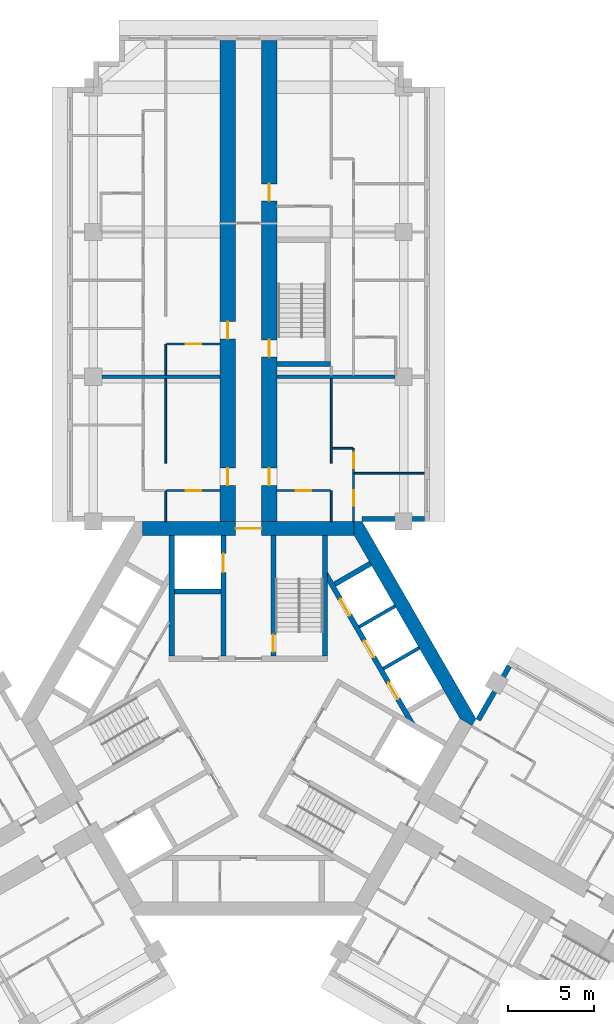
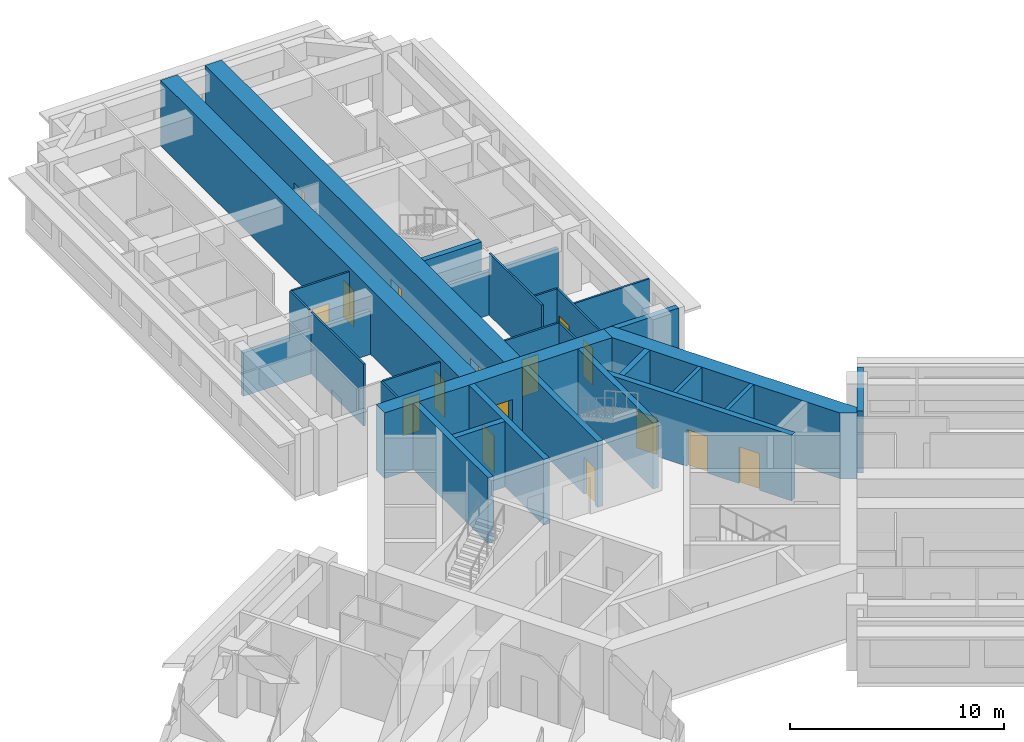
# One storey, part 9 of 14: 29 walls, 16 doors, 16 openings.
"""IFC4 building model written with IfcOpenShell, lengths in metres."""

import ifcopenshell
import ifcopenshell.guid

model = None  # the IFC model being written
_history = None  # IfcOwnerHistory: only IFC2X3 demands one
_inside = {}  # id of a spatial element -> (the spatial element, [elements in it])
_under = {}  # id of a project, library or spatial element -> (it, [spatial elements below it])
_declared = {}  # id of a project -> (the project, [libraries it declares])
_typed = {}  # id of a type object -> (the type object, [elements of that type])
_made_of = {}  # id of a material, layer set ... -> (it, [elements and type objects made of it])


def new_model(schema):
    """Start an empty IFC model of exactly this schema.

    Asked for "IFC4X3", IfcOpenShell would pick the latest addendum, in which some entities
    have other attributes; the version numbers below select the first issue.
    IFC2X3 requires an IfcOwnerHistory on every rooted entity: one is made here for all.
    """
    global model, _history
    if schema == "IFC4X3":
        model = ifcopenshell.file(schema_version=(4, 3, 0, 0))
    else:
        model = ifcopenshell.file(schema=schema)
    _inside.clear()
    _under.clear()
    _declared.clear()
    _typed.clear()
    _made_of.clear()
    _history = None
    if model.schema == "IFC2X3":
        org = make("IfcOrganization", Name="unknown")
        user = make(
            "IfcPersonAndOrganization",
            ThePerson=make("IfcPerson", FamilyName="unknown"),
            TheOrganization=org,
        )
        app = make(
            "IfcApplication",
            ApplicationDeveloper=org,
            Version="unknown",
            ApplicationFullName="unknown",
            ApplicationIdentifier="unknown",
        )
        _history = make(
            "IfcOwnerHistory",
            OwningUser=user,
            OwningApplication=app,
            ChangeAction="ADDED",
            CreationDate=0,
        )
    return model


def make(cls, **values):
    """One entity of the class cls with the attributes given. An attribute that is None is left unset."""
    return model.create_entity(
        cls, **{name: value for name, value in values.items() if value is not None}
    )


def rooted(cls, **values):
    """An entity with a GlobalId (a new one), such as an element, a storey or a relation."""
    return make(cls, GlobalId=ifcopenshell.guid.new(), OwnerHistory=_history, **values)


def si_unit(unit_type, name, prefix=None):
    """IfcSIUnit, for example si_unit("LENGTHUNIT", "METRE", prefix="MILLI")."""
    return make("IfcSIUnit", UnitType=unit_type, Prefix=prefix, Name=name)


def assignment(units):
    """IfcUnitAssignment: the units of a project."""
    return None if units is None else make("IfcUnitAssignment", Units=units)


def point(xyz):
    """IfcCartesianPoint."""
    return None if xyz is None else make("IfcCartesianPoint", Coordinates=xyz)


def direction(xyz):
    """IfcDirection."""
    return None if xyz is None else make("IfcDirection", DirectionRatios=xyz)


def frame(location, z_axis=None, x_axis=None):
    """IfcAxis2Placement3D, a coordinate frame: its origin and axes. An axis left out is left unset."""
    return make(
        "IfcAxis2Placement3D",
        Location=point(location),
        Axis=direction(z_axis),
        RefDirection=direction(x_axis),
    )


def frame_2d(location, x_axis=None):
    """IfcAxis2Placement2D, a coordinate frame in the plane: its origin and x axis."""
    return make(
        "IfcAxis2Placement2D", Location=point(location), RefDirection=direction(x_axis)
    )


def origin():
    """The frame at (0, 0, 0) with its axes left unset."""
    return frame((0.0, 0.0, 0.0))


def place(relative_to, where):
    """IfcLocalPlacement: puts the frame where relative to a parent placement (None: the world)."""
    return make(
        "IfcLocalPlacement", PlacementRelTo=relative_to, RelativePlacement=where
    )


def context(
    kind, dimensions, precision=None, world=None, true_north=None, identifier=None
):
    """IfcGeometricRepresentationContext, for example the 3D "Model" context."""
    return make(
        "IfcGeometricRepresentationContext",
        ContextIdentifier=identifier,
        ContextType=kind,
        CoordinateSpaceDimension=dimensions,
        Precision=precision,
        WorldCoordinateSystem=world,
        TrueNorth=true_north,
    )


def subcontext(parent, identifier, kind, view, scale=None):
    """IfcGeometricRepresentationSubContext, for example "Body" below "Model"."""
    return make(
        "IfcGeometricRepresentationSubContext",
        ContextIdentifier=identifier,
        ContextType=kind,
        ParentContext=parent,
        TargetScale=scale,
        TargetView=view,
    )


def project(units=None, contexts=None):
    """IfcProject with its units and contexts."""
    return rooted(
        "IfcProject",
        Name="project",
        RepresentationContexts=contexts,
        UnitsInContext=assignment(units),
    )


def spatial(cls, under=None, at=None, **own):
    """A site, building, storey or space (cls), placed at a placement, below another one or the project."""
    s = rooted(cls, ObjectPlacement=at, **own)
    if under is not None:
        _under.setdefault(under.id(), (under, []))[1].append(s)
    return s


def polyline(points):
    """IfcPolyline through the points."""
    return make("IfcPolyline", Points=[point(p) for p in points])


def profile(cls, at=None, kind="AREA", **sizes):
    """A parametric profile (cls). Its sizes go by their IFC names, for example OverallWidth=200.0."""
    return make(cls, ProfileType=kind, Position=at, **sizes)


def rectangle(**sizes):
    """IfcRectangleProfileDef."""
    return profile("IfcRectangleProfileDef", **sizes)


def outline(outer, holes=None, kind="AREA"):
    """IfcArbitraryClosedProfileDef: a profile drawn as a closed curve; with holes, ...WithVoids."""
    if holes is None:
        return make("IfcArbitraryClosedProfileDef", ProfileType=kind, OuterCurve=outer)
    return make(
        "IfcArbitraryProfileDefWithVoids",
        ProfileType=kind,
        OuterCurve=outer,
        InnerCurves=holes,
    )


def extrude(swept, where, along, depth):
    """IfcExtrudedAreaSolid: the profile swept, set in the frame where, extruded along a direction by depth."""
    return make(
        "IfcExtrudedAreaSolid",
        SweptArea=swept,
        Position=where,
        ExtrudedDirection=direction(along),
        Depth=depth,
    )


def shape(context_of_items, identifier, shape_type, items):
    """IfcShapeRepresentation: the items that make up one representation, for example the "Body"."""
    return make(
        "IfcShapeRepresentation",
        ContextOfItems=context_of_items,
        RepresentationIdentifier=identifier,
        RepresentationType=shape_type,
        Items=items,
    )


def material(Name=None, Category=None):
    """IfcMaterial."""
    return make("IfcMaterial", Name=Name, Category=Category)


def layer(
    of_material, thickness, ventilated=None, Name=None, Category=None, Priority=None
):
    """IfcMaterialLayer: one layer of a wall or slab, of a material (None: an air gap)."""
    return make(
        "IfcMaterialLayer",
        Material=of_material,
        LayerThickness=thickness,
        IsVentilated=ventilated,
        Name=Name,
        Category=Category,
        Priority=Priority,
    )


def layer_set(layers, Name=None):
    """IfcMaterialLayerSet."""
    return make("IfcMaterialLayerSet", MaterialLayers=layers, LayerSetName=Name)


def made_of(thing, what):
    """Note that an element or type object is made of a material, layer set ...; save() writes the relation."""
    if what is not None:
        _made_of.setdefault(what.id(), (what, []))[1].append(thing)
    return thing


def type_object(cls, material=None, **own):
    """A type object (cls), such as IfcWallType, which elements share."""
    return made_of(rooted(cls, **own), material)


def element(
    cls,
    number,
    at=None,
    inside=None,
    cuts=None,
    type_object=None,
    material=None,
    context=None,
    identifier="Body",
    shape_type=None,
    held_by="IfcProductDefinitionShape",
    body=None,
    shapes=None,
    **own,
):
    """One element of the class cls, such as IfcWall. Its Tag is "e" and its number.

    at: its placement. inside: the storey or other place that contains it. cuts: it is an
    opening in that element (IfcRelVoidsElement). A single representation is given by context,
    identifier, shape_type and body (its items); several are given by shapes. held_by: the class
    of the entity that holds the representations. save() writes the other relations.
    """
    e = rooted(cls, Tag="e%d" % number, ObjectPlacement=at, **own)
    if body is not None:
        shapes = [shape(context, identifier, shape_type, body)]
    if shapes is not None:
        e.Representation = make(held_by, Representations=shapes)
    if inside is not None:
        _inside.setdefault(inside.id(), (inside, []))[1].append(e)
    if cuts is not None:
        rooted(
            "IfcRelVoidsElement", RelatingBuildingElement=cuts, RelatedOpeningElement=e
        )
    if type_object is not None:
        _typed.setdefault(type_object.id(), (type_object, []))[1].append(e)
    return made_of(e, material)


def fill(opening, filler):
    """IfcRelFillsElement: the door or window that sits in an opening."""
    return rooted(
        "IfcRelFillsElement",
        RelatingOpeningElement=opening,
        RelatedBuildingElement=filler,
    )


def aggregate(whole, parts):
    """IfcRelAggregates: a whole, such as a stair, and the parts it consists of."""
    return rooted("IfcRelAggregates", RelatingObject=whole, RelatedObjects=parts)


def save(model, path):
    """Write the relations noted so far, then the file.

    IfcRelAggregates (storeys below a building ...), IfcRelContainedInSpatialStructure (elements
    in a storey), IfcRelDefinesByType, IfcRelAssociatesMaterial and IfcRelDeclares: one each for
    every whole, place, type object, material and project.
    """
    for whole, parts in _under.values():
        aggregate(whole, parts)
    for where, things in _inside.values():
        rooted(
            "IfcRelContainedInSpatialStructure",
            RelatedElements=things,
            RelatingStructure=where,
        )
    for kind, things in _typed.values():
        rooted("IfcRelDefinesByType", RelatedObjects=things, RelatingType=kind)
    for what, things in _made_of.values():
        rooted("IfcRelAssociatesMaterial", RelatedObjects=things, RelatingMaterial=what)
    for by, libraries in _declared.values():
        rooted("IfcRelDeclares", RelatingContext=by, RelatedDefinitions=libraries)
    model.write(path)


model = new_model("IFC4")

# Units and contexts
model_context = context("Model", 3, precision=1e-05, world=origin(), true_north=direction((0.0, 1.0)))
body_context = subcontext(model_context, "Body", "Model", "MODEL_VIEW")
ifc_project = project(units=[si_unit("LENGTHUNIT", "METRE"), si_unit("AREAUNIT", "SQUARE_METRE"), si_unit("VOLUMEUNIT", "CUBIC_METRE"), si_unit("PLANEANGLEUNIT", "RADIAN"), si_unit("MASSUNIT", "GRAM", prefix="KILO")], contexts=[model_context])

# Site, building, storey
site_placement = place(None, origin())
site = spatial("IfcSite", under=ifc_project, at=site_placement, CompositionType="ELEMENT")
building_placement = place(site_placement, origin())
building = spatial("IfcBuilding", under=site, at=building_placement, Name="Impinga Residences", CompositionType="ELEMENT")
storey_placement = place(building_placement, frame((0.0, 0.0, 154.75)))
storey = spatial("IfcBuildingStorey", under=building, at=storey_placement, Name="L38", CompositionType="ELEMENT", Elevation=154.75)

# Wall, openings, doors
ifc_material_1 = material(Name="Concrete C60/75", Category="concrete")
ifc_layer_1 = layer(ifc_material_1, 0.89990234375)
ifc_layer_set_1 = layer_set([ifc_layer_1], Name="Concrete C60/75")
wall_type_1 = type_object("IfcWallType", Name="BW2 corridor buttress wall, L24 to L44 900", PredefinedType="SHEAR", material=ifc_layer_set_1)
wall_1_placement = place(storey_placement, frame((-1.199951171875, 11.031494140625, 0.0), z_axis=(0.0, 0.0, 1.0), x_axis=(0.0, 1.0, 0.0)))
wall_1 = element("IfcWall", 1, at=wall_1_placement, inside=storey, type_object=wall_type_1, Name="Corridor wall BW2 NC L38", PredefinedType="SHEAR", context=body_context, shape_type="SweptSolid", body=[
    extrude(rectangle(XDim=28.300048828125, YDim=0.89990234375, at=frame_2d((14.14990234375, 0.0))), origin(), (0.0, 0.0, 1.0), 3.75),
])
opening_1_placement = place(wall_1_placement, frame((2.5, 0.0, 0.0)))
opening_1 = element("IfcOpeningElement", 2, at=opening_1_placement, cuts=wall_1, Name="Opening D1", PredefinedType="OPENING", context=body_context, shape_type="SweptSolid", body=[
    extrude(rectangle(XDim=1.0, YDim=2.10009765625, at=frame_2d((0.5, 1.050048828125))), frame((0.0, 0.4599609375, 0.0), z_axis=(0.0, -1.0, 0.0), x_axis=(1.0, 0.0, 0.0)), (0.0, 0.0, 1.0), 0.919921875),
])
opening_2_placement = place(wall_1_placement, frame((11.0, 0.0, 0.0)))
opening_2 = element("IfcOpeningElement", 3, at=opening_2_placement, cuts=wall_1, Name="Opening D1", PredefinedType="OPENING", context=body_context, shape_type="SweptSolid", body=[
    extrude(rectangle(XDim=1.0, YDim=2.10009765625, at=frame_2d((0.5, 1.050048828125))), frame((0.0, 0.4599609375, 0.0), z_axis=(0.0, -1.0, 0.0), x_axis=(1.0, 0.0, 0.0)), (0.0, 0.0, 1.0), 0.919921875),
])
ifc_material_2 = material(Name="Timber door set", Category="wood")
door_type_1 = type_object("IfcDoorType", Name="D1 apartment entrance door 1000x2100", OperationType="SINGLE_SWING_LEFT", PredefinedType="DOOR", material=ifc_material_2)
door_1_placement = place(opening_1_placement, origin())
door_1 = element("IfcDoor", 4, at=door_1_placement, inside=storey, type_object=door_type_1, Name="Apartment L38-NA1 entrance", OperationType="SINGLE_SWING_LEFT", OverallHeight=2.10009765625, OverallWidth=1.0, PredefinedType="DOOR", context=body_context, shape_type="SweptSolid", body=[
    extrude(rectangle(XDim=1.0, YDim=2.10009765625, at=frame_2d((0.5, 1.050048828125))), frame((0.0, 0.02490234375, 0.0), z_axis=(0.0, -1.0, 0.0), x_axis=(1.0, 0.0, 0.0)), (0.0, 0.0, 1.0), 0.050048828125),
])
fill(opening_1, door_1)
door_2_placement = place(opening_2_placement, origin())
door_2 = element("IfcDoor", 5, at=door_2_placement, inside=storey, type_object=door_type_1, Name="Apartment L38-NA2 entrance", OperationType="SINGLE_SWING_LEFT", OverallHeight=2.10009765625, OverallWidth=1.0, PredefinedType="DOOR", context=body_context, shape_type="SweptSolid", body=[
    extrude(rectangle(XDim=1.0, YDim=2.10009765625, at=frame_2d((0.5, 1.050048828125))), frame((0.0, 0.02490234375, 0.0), z_axis=(0.0, -1.0, 0.0), x_axis=(1.0, 0.0, 0.0)), (0.0, 0.0, 1.0), 0.050048828125),
])
fill(opening_2, door_2)

wall_2_placement = place(storey_placement, frame((1.199951171875, 11.031494140625, 0.0), z_axis=(0.0, 0.0, 1.0), x_axis=(0.0, 1.0, 0.0)))
wall_2 = element("IfcWall", 6, at=wall_2_placement, inside=storey, type_object=wall_type_1, Name="Corridor wall BW2 ND L38", PredefinedType="SHEAR", context=body_context, shape_type="SweptSolid", body=[
    extrude(rectangle(XDim=28.300048828125, YDim=0.89990234375, at=frame_2d((14.14990234375, 0.0))), origin(), (0.0, 0.0, 1.0), 3.75),
])
opening_3_placement = place(wall_2_placement, frame((9.949951171875, 0.0, 0.0)))
opening_3 = element("IfcOpeningElement", 7, at=opening_3_placement, cuts=wall_2, Name="Opening D5", PredefinedType="OPENING", context=body_context, shape_type="SweptSolid", body=[
    extrude(rectangle(XDim=1.0, YDim=2.10009765625, at=frame_2d((0.5, 1.050048828125))), frame((0.0, 0.4599609375, 0.0), z_axis=(0.0, -1.0, 0.0), x_axis=(1.0, 0.0, 0.0)), (0.0, 0.0, 1.0), 0.919921875),
])
opening_4_placement = place(wall_2_placement, frame((2.5, 0.0, 0.0)))
opening_4 = element("IfcOpeningElement", 8, at=opening_4_placement, cuts=wall_2, Name="Opening D1", PredefinedType="OPENING", context=body_context, shape_type="SweptSolid", body=[
    extrude(rectangle(XDim=1.0, YDim=2.10009765625, at=frame_2d((0.5, 1.050048828125))), frame((0.0, 0.4599609375, 0.0), z_axis=(0.0, -1.0, 0.0), x_axis=(1.0, 0.0, 0.0)), (0.0, 0.0, 1.0), 0.919921875),
])
opening_5_placement = place(wall_2_placement, frame((19.0, 0.0, 0.0)))
opening_5 = element("IfcOpeningElement", 9, at=opening_5_placement, cuts=wall_2, Name="Opening D1", PredefinedType="OPENING", context=body_context, shape_type="SweptSolid", body=[
    extrude(rectangle(XDim=1.0, YDim=2.10009765625, at=frame_2d((0.5, 1.050048828125))), frame((0.0, 0.4599609375, 0.0), z_axis=(0.0, -1.0, 0.0), x_axis=(1.0, 0.0, 0.0)), (0.0, 0.0, 1.0), 0.919921875),
])
door_3_placement = place(opening_4_placement, origin())
door_3 = element("IfcDoor", 10, at=door_3_placement, inside=storey, type_object=door_type_1, Name="Apartment L38-NF1 entrance", OperationType="SINGLE_SWING_LEFT", OverallHeight=2.10009765625, OverallWidth=1.0, PredefinedType="DOOR", context=body_context, shape_type="SweptSolid", body=[
    extrude(rectangle(XDim=1.0, YDim=2.10009765625, at=frame_2d((0.5, 1.050048828125))), frame((0.0, 0.02490234375, 0.0), z_axis=(0.0, -1.0, 0.0), x_axis=(1.0, 0.0, 0.0)), (0.0, 0.0, 1.0), 0.050048828125),
])
fill(opening_4, door_3)
door_4_placement = place(opening_5_placement, origin())
door_4 = element("IfcDoor", 11, at=door_4_placement, inside=storey, type_object=door_type_1, Name="Apartment L38-NF2 entrance", OperationType="SINGLE_SWING_RIGHT", OverallHeight=2.10009765625, OverallWidth=1.0, PredefinedType="DOOR", context=body_context, shape_type="SweptSolid", body=[
    extrude(rectangle(XDim=1.0, YDim=2.10009765625, at=frame_2d((0.5, 1.050048828125))), frame((0.0, 0.02490234375, 0.0), z_axis=(0.0, -1.0, 0.0), x_axis=(1.0, 0.0, 0.0)), (0.0, 0.0, 1.0), 0.050048828125),
])
fill(opening_5, door_4)
door_type_2 = type_object("IfcDoorType", Name="D5 stair door 1000x2100", OperationType="SINGLE_SWING_LEFT", PredefinedType="DOOR", material=ifc_material_2)
door_5_placement = place(opening_3_placement, origin())
door_5 = element("IfcDoor", 12, at=door_5_placement, inside=storey, type_object=door_type_2, Name="Wing stair door N", OperationType="SINGLE_SWING_LEFT", OverallHeight=2.10009765625, OverallWidth=1.0, PredefinedType="DOOR", context=body_context, shape_type="SweptSolid", body=[
    extrude(rectangle(XDim=1.0, YDim=2.10009765625, at=frame_2d((0.5, 1.050048828125))), frame((0.0, 0.02490234375, 0.0), z_axis=(0.0, -1.0, 0.0), x_axis=(1.0, 0.0, 0.0)), (0.0, 0.0, 1.0), 0.050048828125),
])
fill(opening_3, door_5)

# Walls
ifc_material_3 = material(Name="Terracotta rainscreen on blockwork", Category="masonry")
ifc_layer_2 = layer(ifc_material_3, 0.300048828125)
ifc_layer_set_2 = layer_set([ifc_layer_2], Name="EW1 external wall, terracotta rainscreen on blockwork 300")
wall_type_2 = type_object("IfcWallType", Name="EW1 external wall, terracotta rainscreen on blockwork 300", PredefinedType="SOLIDWALL", material=ifc_layer_set_2)
wall_3_placement = place(storey_placement, frame((10.199951171875, 11.58154296875, 0.0), z_axis=(0.0, 0.0, 1.0), x_axis=(-1.0, 0.0, 0.0)))
element("IfcWall", 13, at=wall_3_placement, inside=storey, type_object=wall_type_2, Name="External wall EW1 L38", PredefinedType="SOLIDWALL", context=body_context, shape_type="SweptSolid", body=[
    extrude(rectangle(XDim=3.599853515625, YDim=0.300048828125, at=frame_2d((1.7998046875, 0.0))), origin(), (0.0, 0.0, 1.0), 3.530029296875),
])
wall_4_placement = place(storey_placement, frame((13.329833984375, -0.074951171875, 0.0), z_axis=(0.0, 0.0, 1.0), x_axis=(0.500012057535, 0.866018442252, 0.0)))
element("IfcWall", 14, at=wall_4_placement, inside=storey, type_object=wall_type_2, Name="External wall EW1 L38", PredefinedType="SOLIDWALL", context=body_context, shape_type="SweptSolid", body=[
    extrude(rectangle(XDim=3.60009765625, YDim=0.300048828125, at=frame_2d((1.800048828125, 0.0))), origin(), (0.0, 0.0, 1.0), 3.530029296875),
])
ifc_material_4 = material(Name="Gypsum board on steel studs", Category="steel")
ifc_layer_3 = layer(ifc_material_4, 0.10009765625)
ifc_layer_set_3 = layer_set([ifc_layer_3], Name="Gypsum board on steel studs")
wall_type_3 = type_object("IfcWallType", Name="IP1 partition 100", PredefinedType="PARTITIONING", material=ifc_layer_set_3)
wall_5_placement = place(storey_placement, frame((-4.800048828125, 11.431640625, 0.0), z_axis=(0.0, 0.0, 1.0), x_axis=(0.0, 1.0, 0.0)))
element("IfcWall", 15, at=wall_5_placement, inside=storey, type_object=wall_type_3, Name="Partition L38-NA1:DIV0", PredefinedType="PARTITIONING", context=body_context, shape_type="SweptSolid", body=[
    extrude(rectangle(XDim=1.7998046875, YDim=0.10009765625, at=frame_2d((0.89990234375, 0.0))), origin(), (0.0, 0.0, 1.0), 3.530029296875),
])
wall_6_placement = place(storey_placement, frame((-4.800048828125, 14.83154296875, 0.0), z_axis=(0.0, 0.0, 1.0), x_axis=(0.0, 1.0, 0.0)))
element("IfcWall", 16, at=wall_6_placement, inside=storey, type_object=wall_type_3, Name="Partition L38-NA1:DIV1", PredefinedType="PARTITIONING", context=body_context, shape_type="SweptSolid", body=[
    extrude(rectangle(XDim=4.89990234375, YDim=0.10009765625, at=frame_2d((2.449951171875, 0.0))), origin(), (0.0, 0.0, 1.0), 3.530029296875),
])

# Wall, opening, door
wall_7_placement = place(storey_placement, frame((-1.64990234375, 13.2314453125, 0.0), z_axis=(0.0, 0.0, 1.0), x_axis=(-1.0, 0.0, 0.0)))
wall_7 = element("IfcWall", 17, at=wall_7_placement, inside=storey, type_object=wall_type_3, Name="Partition L38-NA1:IB1", PredefinedType="PARTITIONING", context=body_context, shape_type="SweptSolid", body=[
    extrude(rectangle(XDim=3.10009765625, YDim=0.10009765625, at=frame_2d((1.550048828125, 0.0))), origin(), (0.0, 0.0, 1.0), 3.530029296875),
])
opening_6_placement = place(wall_7_placement, frame((1.10009765625, 0.0, 0.0)))
opening_6 = element("IfcOpeningElement", 18, at=opening_6_placement, cuts=wall_7, Name="Opening D2", PredefinedType="OPENING", context=body_context, shape_type="SweptSolid", body=[
    extrude(rectangle(XDim=0.89990234375, YDim=2.10009765625, at=frame_2d((0.449951171875, 1.050048828125))), frame((0.0, 0.06005859375, 0.0), z_axis=(0.0, -1.0, 0.0), x_axis=(1.0, 0.0, 0.0)), (0.0, 0.0, 1.0), 0.1201171875),
])
door_type_3 = type_object("IfcDoorType", Name="D2 internal door 900x2100", OperationType="SINGLE_SWING_LEFT", PredefinedType="DOOR", material=ifc_material_2)
door_6_placement = place(opening_6_placement, origin())
door_6 = element("IfcDoor", 19, at=door_6_placement, inside=storey, type_object=door_type_3, Name="Apartment L38-NA1 bathroom door", OperationType="SINGLE_SWING_LEFT", OverallHeight=2.10009765625, OverallWidth=0.89990234375, PredefinedType="DOOR", context=body_context, shape_type="SweptSolid", body=[
    extrude(rectangle(XDim=0.89990234375, YDim=2.10009765625, at=frame_2d((0.449951171875, 1.050048828125))), frame((0.0, 0.02490234375, 0.0), z_axis=(0.0, -1.0, 0.0), x_axis=(1.0, 0.0, 0.0)), (0.0, 0.0, 1.0), 0.050048828125),
])
fill(opening_6, door_6)

# Wall
wall_8_placement = place(storey_placement, frame((-4.800048828125, 19.931640625, 0.0), z_axis=(0.0, 0.0, 1.0), x_axis=(0.0, 1.0, 0.0)))
element("IfcWall", 20, at=wall_8_placement, inside=storey, type_object=wall_type_3, Name="Partition L38-NA2:DIV0", PredefinedType="PARTITIONING", context=body_context, shape_type="SweptSolid", body=[
    extrude(rectangle(XDim=1.7998046875, YDim=0.10009765625, at=frame_2d((0.89990234375, 0.0))), origin(), (0.0, 0.0, 1.0), 3.530029296875),
])

# Wall, opening, door
wall_9_placement = place(storey_placement, frame((-1.64990234375, 21.7314453125, 0.0), z_axis=(0.0, 0.0, 1.0), x_axis=(-1.0, 0.0, 0.0)))
wall_9 = element("IfcWall", 21, at=wall_9_placement, inside=storey, type_object=wall_type_3, Name="Partition L38-NA2:IB1", PredefinedType="PARTITIONING", context=body_context, shape_type="SweptSolid", body=[
    extrude(rectangle(XDim=3.10009765625, YDim=0.10009765625, at=frame_2d((1.550048828125, 0.0))), origin(), (0.0, 0.0, 1.0), 3.530029296875),
])
opening_7_placement = place(wall_9_placement, frame((1.10009765625, 0.0, 0.0)))
opening_7 = element("IfcOpeningElement", 22, at=opening_7_placement, cuts=wall_9, Name="Opening D2", PredefinedType="OPENING", context=body_context, shape_type="SweptSolid", body=[
    extrude(rectangle(XDim=0.89990234375, YDim=2.10009765625, at=frame_2d((0.449951171875, 1.050048828125))), frame((0.0, 0.06005859375, 0.0), z_axis=(0.0, -1.0, 0.0), x_axis=(1.0, 0.0, 0.0)), (0.0, 0.0, 1.0), 0.1201171875),
])
door_7_placement = place(opening_7_placement, origin())
door_7 = element("IfcDoor", 23, at=door_7_placement, inside=storey, type_object=door_type_3, Name="Apartment L38-NA2 bathroom door", OperationType="SINGLE_SWING_LEFT", OverallHeight=2.10009765625, OverallWidth=0.89990234375, PredefinedType="DOOR", context=body_context, shape_type="SweptSolid", body=[
    extrude(rectangle(XDim=0.89990234375, YDim=2.10009765625, at=frame_2d((0.449951171875, 1.050048828125))), frame((0.0, 0.02490234375, 0.0), z_axis=(0.0, -1.0, 0.0), x_axis=(1.0, 0.0, 0.0)), (0.0, 0.0, 1.0), 0.050048828125),
])
fill(opening_7, door_7)

# Walls
wall_10_placement = place(storey_placement, frame((4.800048828125, 11.431640625, 0.0), z_axis=(0.0, 0.0, 1.0), x_axis=(0.0, 1.0, 0.0)))
element("IfcWall", 24, at=wall_10_placement, inside=storey, type_object=wall_type_3, Name="Partition L38-NF1:DIV0", PredefinedType="PARTITIONING", context=body_context, shape_type="SweptSolid", body=[
    extrude(rectangle(XDim=1.7998046875, YDim=0.10009765625, at=frame_2d((0.89990234375, 0.0))), origin(), (0.0, 0.0, 1.0), 3.530029296875),
])
wall_11_placement = place(storey_placement, frame((4.800048828125, 14.83154296875, 0.0), z_axis=(0.0, 0.0, 1.0), x_axis=(0.0, 1.0, 0.0)))
element("IfcWall", 25, at=wall_11_placement, inside=storey, type_object=wall_type_3, Name="Partition L38-NF1:DIV1", PredefinedType="PARTITIONING", context=body_context, shape_type="SweptSolid", body=[
    extrude(rectangle(XDim=4.89990234375, YDim=0.10009765625, at=frame_2d((2.449951171875, 0.0))), origin(), (0.0, 0.0, 1.0), 3.530029296875),
])

# Wall, openings, doors
wall_12_placement = place(storey_placement, frame((6.10009765625, 11.431640625, 0.0), z_axis=(0.0, 0.0, 1.0), x_axis=(0.0, 1.0, 0.0)))
wall_12 = element("IfcWall", 26, at=wall_12_placement, inside=storey, type_object=wall_type_3, Name="Partition L38-NF1:STRIP", PredefinedType="PARTITIONING", context=body_context, shape_type="SweptSolid", body=[
    extrude(rectangle(XDim=4.25, YDim=0.10009765625, at=frame_2d((2.125, 0.0))), origin(), (0.0, 0.0, 1.0), 3.530029296875),
])
opening_8_placement = place(wall_12_placement, frame((0.925048828125, 0.0, 0.0)))
opening_8 = element("IfcOpeningElement", 27, at=opening_8_placement, cuts=wall_12, Name="Opening D2", PredefinedType="OPENING", context=body_context, shape_type="SweptSolid", body=[
    extrude(rectangle(XDim=0.89990234375, YDim=2.10009765625, at=frame_2d((0.449951171875, 1.050048828125))), frame((0.0, 0.06005859375, 0.0), z_axis=(0.0, -1.0, 0.0), x_axis=(1.0, 0.0, 0.0)), (0.0, 0.0, 1.0), 0.1201171875),
])
opening_9_placement = place(wall_12_placement, frame((3.10009765625, 0.0, 0.0)))
opening_9 = element("IfcOpeningElement", 28, at=opening_9_placement, cuts=wall_12, Name="Opening D2", PredefinedType="OPENING", context=body_context, shape_type="SweptSolid", body=[
    extrude(rectangle(XDim=0.89990234375, YDim=2.10009765625, at=frame_2d((0.449951171875, 1.050048828125))), frame((0.0, 0.06005859375, 0.0), z_axis=(0.0, -1.0, 0.0), x_axis=(1.0, 0.0, 0.0)), (0.0, 0.0, 1.0), 0.1201171875),
])
door_8_placement = place(opening_8_placement, origin())
door_8 = element("IfcDoor", 29, at=door_8_placement, inside=storey, type_object=door_type_3, Name="Apartment L38-NF1 room door", OperationType="SINGLE_SWING_LEFT", OverallHeight=2.10009765625, OverallWidth=0.89990234375, PredefinedType="DOOR", context=body_context, shape_type="SweptSolid", body=[
    extrude(rectangle(XDim=0.89990234375, YDim=2.10009765625, at=frame_2d((0.449951171875, 1.050048828125))), frame((0.0, 0.02490234375, 0.0), z_axis=(0.0, -1.0, 0.0), x_axis=(1.0, 0.0, 0.0)), (0.0, 0.0, 1.0), 0.050048828125),
])
fill(opening_8, door_8)
door_9_placement = place(opening_9_placement, origin())
door_9 = element("IfcDoor", 30, at=door_9_placement, inside=storey, type_object=door_type_3, Name="Apartment L38-NF1 room door", OperationType="SINGLE_SWING_RIGHT", OverallHeight=2.10009765625, OverallWidth=0.89990234375, PredefinedType="DOOR", context=body_context, shape_type="SweptSolid", body=[
    extrude(rectangle(XDim=0.89990234375, YDim=2.10009765625, at=frame_2d((0.449951171875, 1.050048828125))), frame((0.0, 0.02490234375, 0.0), z_axis=(0.0, -1.0, 0.0), x_axis=(1.0, 0.0, 0.0)), (0.0, 0.0, 1.0), 0.050048828125),
])
fill(opening_9, door_9)

# Wall
wall_13_placement = place(storey_placement, frame((4.85009765625, 15.681640625, 0.0), z_axis=(0.0, 0.0, 1.0), x_axis=(1.0, 0.0, 0.0)))
element("IfcWall", 31, at=wall_13_placement, inside=storey, type_object=wall_type_3, Name="Partition L38-NF1:SE1", PredefinedType="PARTITIONING", context=body_context, shape_type="SweptSolid", body=[
    extrude(rectangle(XDim=1.199951171875, YDim=0.10009765625, at=frame_2d((0.60009765625, 0.0))), origin(), (0.0, 0.0, 1.0), 3.530029296875),
])

# Wall, opening, door
wall_14_placement = place(storey_placement, frame((1.64990234375, 13.2314453125, 0.0), z_axis=(0.0, 0.0, 1.0), x_axis=(1.0, 0.0, 0.0)))
wall_14 = element("IfcWall", 32, at=wall_14_placement, inside=storey, type_object=wall_type_3, Name="Partition L38-NF1:IB1", PredefinedType="PARTITIONING", context=body_context, shape_type="SweptSolid", body=[
    extrude(rectangle(XDim=3.10009765625, YDim=0.10009765625, at=frame_2d((1.550048828125, 0.0))), origin(), (0.0, 0.0, 1.0), 3.530029296875),
])
opening_10_placement = place(wall_14_placement, frame((1.10009765625, 0.0, 0.0)))
opening_10 = element("IfcOpeningElement", 33, at=opening_10_placement, cuts=wall_14, Name="Opening D2", PredefinedType="OPENING", context=body_context, shape_type="SweptSolid", body=[
    extrude(rectangle(XDim=0.89990234375, YDim=2.10009765625, at=frame_2d((0.449951171875, 1.050048828125))), frame((0.0, 0.06005859375, 0.0), z_axis=(0.0, -1.0, 0.0), x_axis=(1.0, 0.0, 0.0)), (0.0, 0.0, 1.0), 0.1201171875),
])
door_10_placement = place(opening_10_placement, origin())
door_10 = element("IfcDoor", 34, at=door_10_placement, inside=storey, type_object=door_type_3, Name="Apartment L38-NF1 bathroom door", OperationType="SINGLE_SWING_LEFT", OverallHeight=2.10009765625, OverallWidth=0.89990234375, PredefinedType="DOOR", context=body_context, shape_type="SweptSolid", body=[
    extrude(rectangle(XDim=0.89990234375, YDim=2.10009765625, at=frame_2d((0.449951171875, 1.050048828125))), frame((0.0, 0.02490234375, 0.0), z_axis=(0.0, -1.0, 0.0), x_axis=(1.0, 0.0, 0.0)), (0.0, 0.0, 1.0), 0.050048828125),
])
fill(opening_10, door_10)

# Walls
wall_15_placement = place(storey_placement, frame((6.14990234375, 14.2314453125, 0.0), z_axis=(0.0, 0.0, 1.0), x_axis=(1.0, 0.0, 0.0)))
element("IfcWall", 35, at=wall_15_placement, inside=storey, type_object=wall_type_3, Name="Partition L38-NF1:OB1", PredefinedType="PARTITIONING", context=body_context, shape_type="SweptSolid", body=[
    extrude(rectangle(XDim=4.050048828125, YDim=0.10009765625, at=frame_2d((2.02490234375, 0.0))), origin(), (0.0, 0.0, 1.0), 3.530029296875),
])
ifc_material_5 = material(Name="Concrete blockwork", Category="masonry")
ifc_layer_4 = layer(ifc_material_5, 0.199951171875)
ifc_layer_set_4 = layer_set([ifc_layer_4], Name="PW1 party wall between apartments 200")
wall_type_4 = type_object("IfcWallType", Name="PW1 party wall between apartments 200", PredefinedType="SOLIDWALL", material=ifc_layer_set_4)
for number, where, z_axis, x_axis, name in (
    (36, (-1.64990234375, 19.83154296875, 0.0), (0.0, 0.0, 1.0), (-1.0, 0.0, 0.0), "Party wall between apartments L38-NA1:PARTY"),
    (37, (1.64990234375, 19.83154296875, 0.0), (0.0, 0.0, 1.0), (1.0, 0.0, 0.0), "Party wall between apartments L38-NF1:PARTY"),
):
    element("IfcWall", number, at=place(storey_placement, frame(where, z_axis=z_axis, x_axis=x_axis)), inside=storey, type_object=wall_type_4, Name=name, PredefinedType="SOLIDWALL", context=body_context, shape_type="SweptSolid", body=[
        extrude(rectangle(XDim=6.85009765625, YDim=0.199951171875, at=frame_2d((3.425048828125, 0.0))), origin(), (0.0, 0.0, 1.0), 2.47998046875),
    ])
ifc_layer_5 = layer(ifc_material_1, 0.300048828125)
ifc_layer_set_5 = layer_set([ifc_layer_5], Name="Concrete C60/75")
wall_type_5 = type_object("IfcWallType", Name="SE1 wing stair enclosure wall 300", PredefinedType="SOLIDWALL", material=ifc_layer_set_5)
wall_16_placement = place(storey_placement, frame((1.64990234375, 20.58154296875, 0.0), z_axis=(0.0, 0.0, 1.0), x_axis=(1.0, 0.0, 0.0)))
element("IfcWall", 38, at=wall_16_placement, inside=storey, type_object=wall_type_5, Name="Stair enclosure wall SE1 N END0 L38", PredefinedType="SOLIDWALL", context=body_context, shape_type="SweptSolid", body=[
    extrude(rectangle(XDim=3.10009765625, YDim=0.300048828125, at=frame_2d((1.550048828125, 0.0))), origin(), (0.0, 0.0, 1.0), 3.75),
])

# Wall, opening, door
ifc_layer_6 = layer(ifc_material_1, 0.800048828125)
ifc_layer_set_6 = layer_set([ifc_layer_6], Name="Concrete C60/75")
wall_type_6 = type_object("IfcWallType", Name="SW2 core wall 800", PredefinedType="SHEAR", material=ifc_layer_set_6)
wall_17_placement = place(storey_placement, frame((-6.13818359375, 11.031494140625, 0.0), z_axis=(0.0, 0.0, 1.0), x_axis=(1.0, 0.0, 0.0)))
wall_17 = element("IfcWall", 39, at=wall_17_placement, inside=storey, type_object=wall_type_6, Name="Core wall SW2 N:FACE L38", PredefinedType="SHEAR", context=body_context, shape_type="SweptSolid", body=[
    extrude(rectangle(XDim=12.2763671875, YDim=0.800048828125, at=frame_2d((6.13818359375, 0.0))), origin(), (0.0, 0.0, 1.0), 3.75),
])
opening_11_placement = place(wall_17_placement, frame((5.38818359375, 0.0, 0.0)))
opening_11 = element("IfcOpeningElement", 40, at=opening_11_placement, cuts=wall_17, Name="Opening D4", PredefinedType="OPENING", context=body_context, shape_type="SweptSolid", body=[
    extrude(rectangle(XDim=1.5, YDim=2.10009765625, at=frame_2d((0.75, 1.050048828125))), frame((0.0, 0.409912109375, 0.0), z_axis=(0.0, -1.0, 0.0), x_axis=(1.0, 0.0, 0.0)), (0.0, 0.0, 1.0), 0.820068359375),
])
door_type_4 = type_object("IfcDoorType", Name="D4 lobby door pair 1500x2100", OperationType="DOUBLE_DOOR_DOUBLE_SWING", PredefinedType="DOOR", material=ifc_material_2)
door_11_placement = place(opening_11_placement, origin())
door_11 = element("IfcDoor", 41, at=door_11_placement, inside=storey, type_object=door_type_4, Name="Lobby door N", OperationType="DOUBLE_DOOR_DOUBLE_SWING", OverallHeight=2.10009765625, OverallWidth=1.5, PredefinedType="DOOR", context=body_context, shape_type="SweptSolid", body=[
    extrude(rectangle(XDim=1.5, YDim=2.10009765625, at=frame_2d((0.75, 1.050048828125))), frame((0.0, 0.02490234375, 0.0), z_axis=(0.0, -1.0, 0.0), x_axis=(1.0, 0.0, 0.0)), (0.0, 0.0, 1.0), 0.050048828125),
])
fill(opening_11, door_11)

# Wall
wall_18_placement = place(storey_placement, origin())
element("IfcWall", 42, at=wall_18_placement, inside=storey, type_object=wall_type_6, Name="Core wall SW2 W:EXPOSED L38", PredefinedType="SHEAR", context=body_context, shape_type="SweptSolid", body=[
    extrude(outline(polyline([(13.199951171875, 0.0), (6.60009765625, 11.431640625), (6.13818359375, 11.431640625), (6.13818359375, 10.631591796875), (12.276123046875, 0.0), (12.968994140625, -0.39990234375), (13.199951171875, 0.0)])), origin(), (0.0, 0.0, 1.0), 3.75),
])

# Wall, opening, door
ifc_material_6 = material(Name="Concrete C70/85", Category="concrete")
ifc_layer_7 = layer(ifc_material_6, 0.300048828125)
ifc_layer_set_7 = layer_set([ifc_layer_7], Name="Concrete C70/85")
wall_type_7 = type_object("IfcWallType", Name="SW5 core inner wall, stairs, shafts and lobbies 300", PredefinedType="SHEAR", material=ifc_layer_set_7)
wall_19_placement = place(storey_placement, frame((1.449951171875, 3.6298828125, 0.0), z_axis=(0.0, 0.0, 1.0), x_axis=(0.0, 1.0, 0.0)))
wall_19 = element("IfcWall", 43, at=wall_19_placement, inside=storey, type_object=wall_type_7, Name="Core wall SW5 N:ST-IN L38", PredefinedType="SHEAR", context=body_context, shape_type="SweptSolid", body=[
    extrude(rectangle(XDim=7.001708984375, YDim=0.300048828125, at=frame_2d((3.5009765625, 0.0))), origin(), (0.0, 0.0, 1.0), 3.75),
])
opening_12_placement = place(wall_19_placement, frame((0.25, 0.0, 0.0)))
opening_12 = element("IfcOpeningElement", 44, at=opening_12_placement, cuts=wall_19, Name="Opening D5", PredefinedType="OPENING", context=body_context, shape_type="SweptSolid", body=[
    extrude(rectangle(XDim=1.0, YDim=2.10009765625, at=frame_2d((0.5, 1.050048828125))), frame((0.0, 0.159912109375, 0.0), z_axis=(0.0, -1.0, 0.0), x_axis=(1.0, 0.0, 0.0)), (0.0, 0.0, 1.0), 0.320068359375),
])
door_12_placement = place(opening_12_placement, origin())
door_12 = element("IfcDoor", 45, at=door_12_placement, inside=storey, type_object=door_type_2, Name="Stair door N", OperationType="SINGLE_SWING_LEFT", OverallHeight=2.10009765625, OverallWidth=1.0, PredefinedType="DOOR", context=body_context, shape_type="SweptSolid", body=[
    extrude(rectangle(XDim=1.0, YDim=2.10009765625, at=frame_2d((0.5, 1.050048828125))), frame((0.0, 0.02490234375, 0.0), z_axis=(0.0, -1.0, 0.0), x_axis=(1.0, 0.0, 0.0)), (0.0, 0.0, 1.0), 0.050048828125),
])
fill(opening_12, door_12)

# Wall
wall_20_placement = place(storey_placement, frame((4.449951171875, 3.6298828125, 0.0), z_axis=(0.0, 0.0, 1.0), x_axis=(0.0, 1.0, 0.0)))
element("IfcWall", 46, at=wall_20_placement, inside=storey, type_object=wall_type_7, Name="Core wall SW5 N:ST-OUT L38", PredefinedType="SHEAR", context=body_context, shape_type="SweptSolid", body=[
    extrude(rectangle(XDim=7.001708984375, YDim=0.300048828125, at=frame_2d((3.5009765625, 0.0))), origin(), (0.0, 0.0, 1.0), 3.75),
])

# Wall, opening, door
wall_21_placement = place(storey_placement, frame((-1.449951171875, 3.6298828125, 0.0), z_axis=(0.0, 0.0, 1.0), x_axis=(0.0, 1.0, 0.0)))
wall_21 = element("IfcWall", 47, at=wall_21_placement, inside=storey, type_object=wall_type_7, Name="Core wall SW5 N:FF-IN L38", PredefinedType="SHEAR", context=body_context, shape_type="SweptSolid", body=[
    extrude(rectangle(XDim=7.001708984375, YDim=0.300048828125, at=frame_2d((3.5009765625, 0.0))), origin(), (0.0, 0.0, 1.0), 3.75),
])
opening_13_placement = place(wall_21_placement, frame((4.85009765625, 0.0, 0.0)))
opening_13 = element("IfcOpeningElement", 48, at=opening_13_placement, cuts=wall_21, Name="Opening LD2", PredefinedType="OPENING", context=body_context, shape_type="SweptSolid", body=[
    extrude(rectangle(XDim=1.10009765625, YDim=2.10009765625, at=frame_2d((0.550048828125, 1.050048828125))), frame((0.0, 0.159912109375, 0.0), z_axis=(0.0, -1.0, 0.0), x_axis=(1.0, 0.0, 0.0)), (0.0, 0.0, 1.0), 0.320068359375),
])
ifc_material_7 = material(Name="Steel lift landing door", Category="steel")
door_type_5 = type_object("IfcDoorType", Name="LD2 firefighting lift landing door 1100x2100", OperationType="DOUBLE_DOOR_SLIDING", PredefinedType="DOOR", material=ifc_material_7)
door_13_placement = place(opening_13_placement, origin())
door_13 = element("IfcDoor", 49, at=door_13_placement, inside=storey, type_object=door_type_5, Name="Firefighting lift landing door F1", OperationType="DOUBLE_DOOR_SLIDING", OverallHeight=2.10009765625, OverallWidth=1.10009765625, PredefinedType="DOOR", context=body_context, shape_type="SweptSolid", body=[
    extrude(rectangle(XDim=1.10009765625, YDim=2.10009765625, at=frame_2d((0.550048828125, 1.050048828125))), frame((0.0, 0.02490234375, 0.0), z_axis=(0.0, -1.0, 0.0), x_axis=(1.0, 0.0, 0.0)), (0.0, 0.0, 1.0), 0.050048828125),
])
fill(opening_13, door_13)

# Walls
wall_22_placement = place(storey_placement, frame((-4.449951171875, 3.6298828125, 0.0), z_axis=(0.0, 0.0, 1.0), x_axis=(0.0, 1.0, 0.0)))
element("IfcWall", 50, at=wall_22_placement, inside=storey, type_object=wall_type_7, Name="Core wall SW5 N:FF-OUT L38", PredefinedType="SHEAR", context=body_context, shape_type="SweptSolid", body=[
    extrude(rectangle(XDim=7.001708984375, YDim=0.300048828125, at=frame_2d((3.5009765625, 0.0))), origin(), (0.0, 0.0, 1.0), 3.75),
])
wall_23_placement = place(storey_placement, frame((-4.300048828125, 7.3798828125, 0.0), z_axis=(0.0, 0.0, 1.0), x_axis=(1.0, 0.0, 0.0)))
element("IfcWall", 51, at=wall_23_placement, inside=storey, type_object=wall_type_7, Name="Core wall SW5 N:FF-RS L38", PredefinedType="SHEAR", context=body_context, shape_type="SweptSolid", body=[
    extrude(rectangle(XDim=2.699951171875, YDim=0.300048828125, at=frame_2d((1.35009765625, 0.0))), origin(), (0.0, 0.0, 1.0), 3.75),
])

# Wall, openings, doors
wall_24_placement = place(storey_placement, frame((4.449951171875, 8.455322265625, 0.0), z_axis=(0.0, 0.0, 1.0), x_axis=(0.500002290144, -0.866024081565, 0.0)))
wall_24 = element("IfcWall", 52, at=wall_24_placement, inside=storey, type_object=wall_type_7, Name="Core wall SW5 W:BANK-FRONT L38", PredefinedType="SHEAR", context=body_context, shape_type="SweptSolid", body=[
    extrude(rectangle(XDim=10.1953125, YDim=0.300048828125, at=frame_2d((5.09765625, 0.0))), origin(), (0.0, 0.0, 1.0), 3.75),
])
opening_14_placement = place(wall_24_placement, frame((1.74755859375, 0.0, 0.0)))
opening_14 = element("IfcOpeningElement", 53, at=opening_14_placement, cuts=wall_24, Name="Opening LD1", PredefinedType="OPENING", context=body_context, shape_type="SweptSolid", body=[
    extrude(rectangle(XDim=1.10009765625, YDim=2.10009765625, at=frame_2d((0.550048828125, 1.050048828125))), frame((0.0, 0.159912109375, 0.0), z_axis=(0.0, -1.0, 0.0), x_axis=(1.0, 0.0, 0.0)), (0.0, 0.0, 1.0), 0.320068359375),
])
opening_15_placement = place(wall_24_placement, frame((4.547607421875, 0.0, 0.0)))
opening_15 = element("IfcOpeningElement", 54, at=opening_15_placement, cuts=wall_24, Name="Opening LD1", PredefinedType="OPENING", context=body_context, shape_type="SweptSolid", body=[
    extrude(rectangle(XDim=1.10009765625, YDim=2.10009765625, at=frame_2d((0.550048828125, 1.050048828125))), frame((0.0, 0.159912109375, 0.0), z_axis=(0.0, -1.0, 0.0), x_axis=(1.0, 0.0, 0.0)), (0.0, 0.0, 1.0), 0.320068359375),
])
opening_16_placement = place(wall_24_placement, frame((7.34765625, 0.0, 0.0)))
opening_16 = element("IfcOpeningElement", 55, at=opening_16_placement, cuts=wall_24, Name="Opening LD1", PredefinedType="OPENING", context=body_context, shape_type="SweptSolid", body=[
    extrude(rectangle(XDim=1.10009765625, YDim=2.10009765625, at=frame_2d((0.550048828125, 1.050048828125))), frame((0.0, 0.159912109375, 0.0), z_axis=(0.0, -1.0, 0.0), x_axis=(1.0, 0.0, 0.0)), (0.0, 0.0, 1.0), 0.320068359375),
])
door_type_6 = type_object("IfcDoorType", Name="LD1 passenger lift landing door 1100x2100", OperationType="DOUBLE_DOOR_SLIDING", PredefinedType="DOOR", material=ifc_material_7)
door_14_placement = place(opening_14_placement, origin())
door_14 = element("IfcDoor", 56, at=door_14_placement, inside=storey, type_object=door_type_6, Name="Lift landing door P4", OperationType="DOUBLE_DOOR_SLIDING", OverallHeight=2.10009765625, OverallWidth=1.10009765625, PredefinedType="DOOR", context=body_context, shape_type="SweptSolid", body=[
    extrude(rectangle(XDim=1.10009765625, YDim=2.10009765625, at=frame_2d((0.550048828125, 1.050048828125))), frame((0.0, 0.02490234375, 0.0), z_axis=(0.0, -1.0, 0.0), x_axis=(1.0, 0.0, 0.0)), (0.0, 0.0, 1.0), 0.050048828125),
])
fill(opening_14, door_14)
door_15_placement = place(opening_15_placement, origin())
door_15 = element("IfcDoor", 57, at=door_15_placement, inside=storey, type_object=door_type_6, Name="Lift landing door P5", OperationType="DOUBLE_DOOR_SLIDING", OverallHeight=2.10009765625, OverallWidth=1.10009765625, PredefinedType="DOOR", context=body_context, shape_type="SweptSolid", body=[
    extrude(rectangle(XDim=1.10009765625, YDim=2.10009765625, at=frame_2d((0.550048828125, 1.050048828125))), frame((0.0, 0.02490234375, 0.0), z_axis=(0.0, -1.0, 0.0), x_axis=(1.0, 0.0, 0.0)), (0.0, 0.0, 1.0), 0.050048828125),
])
fill(opening_15, door_15)
door_16_placement = place(opening_16_placement, origin())
door_16 = element("IfcDoor", 58, at=door_16_placement, inside=storey, type_object=door_type_6, Name="Lift landing door P6", OperationType="DOUBLE_DOOR_SLIDING", OverallHeight=2.10009765625, OverallWidth=1.10009765625, PredefinedType="DOOR", context=body_context, shape_type="SweptSolid", body=[
    extrude(rectangle(XDim=1.10009765625, YDim=2.10009765625, at=frame_2d((0.550048828125, 1.050048828125))), frame((0.0, 0.02490234375, 0.0), z_axis=(0.0, -1.0, 0.0), x_axis=(1.0, 0.0, 0.0)), (0.0, 0.0, 1.0), 0.050048828125),
])
fill(opening_16, door_16)

# Walls
wall_25_placement = place(storey_placement, frame((5.003662109375, 7.79638671875, 0.0), z_axis=(0.0, 0.0, 1.0), x_axis=(0.866050077142, 0.499957262057, 0.0)))
element("IfcWall", 59, at=wall_25_placement, inside=storey, type_object=wall_type_7, Name="Core wall SW5 W:BANK-L L38", PredefinedType="SHEAR", context=body_context, shape_type="SweptSolid", body=[
    extrude(rectangle(XDim=2.400146484375, YDim=0.300048828125, at=frame_2d((1.2001953125, 0.0))), origin(), (0.0, 0.0, 1.0), 3.75),
])
ifc_layer_8 = layer(ifc_material_6, 0.199951171875)
ifc_layer_set_8 = layer_set([ifc_layer_8], Name="Concrete C70/85")
wall_type_8 = type_object("IfcWallType", Name="SW6 lift shaft divider wall 200", PredefinedType="SHEAR", material=ifc_layer_set_8)
wall_26_placement = place(storey_placement, frame((6.4287109375, 5.328125, 0.0), z_axis=(0.0, 0.0, 1.0), x_axis=(0.865980596518, 0.500077600433, 0.0)))
element("IfcWall", 60, at=wall_26_placement, inside=storey, type_object=wall_type_8, Name="Core wall SW6 W:BANK-D1 L38", PredefinedType="SHEAR", context=body_context, shape_type="SweptSolid", body=[
    extrude(rectangle(XDim=2.39990234375, YDim=0.199951171875, at=frame_2d((1.199951171875, 0.0))), origin(), (0.0, 0.0, 1.0), 3.75),
])
wall_27_placement = place(storey_placement, frame((7.82861328125, 2.9033203125, 0.0), z_axis=(0.0, 0.0, 1.0), x_axis=(0.866050077142, 0.499957262057, 0.0)))
element("IfcWall", 61, at=wall_27_placement, inside=storey, type_object=wall_type_8, Name="Core wall SW6 W:BANK-D2 L38", PredefinedType="SHEAR", context=body_context, shape_type="SweptSolid", body=[
    extrude(rectangle(XDim=2.400146484375, YDim=0.199951171875, at=frame_2d((1.2001953125, 0.0))), origin(), (0.0, 0.0, 1.0), 3.75),
])

save(model, "model.ifc")
